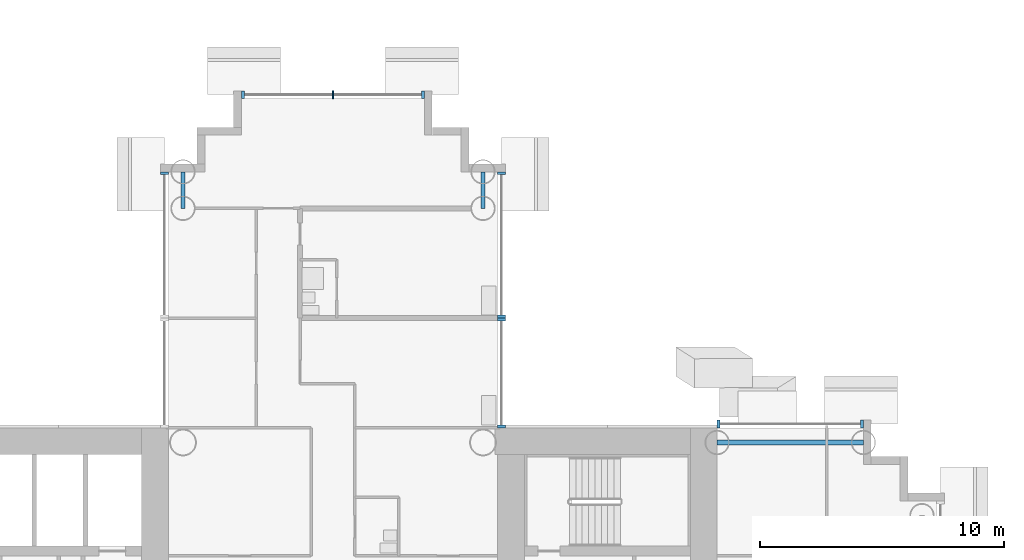
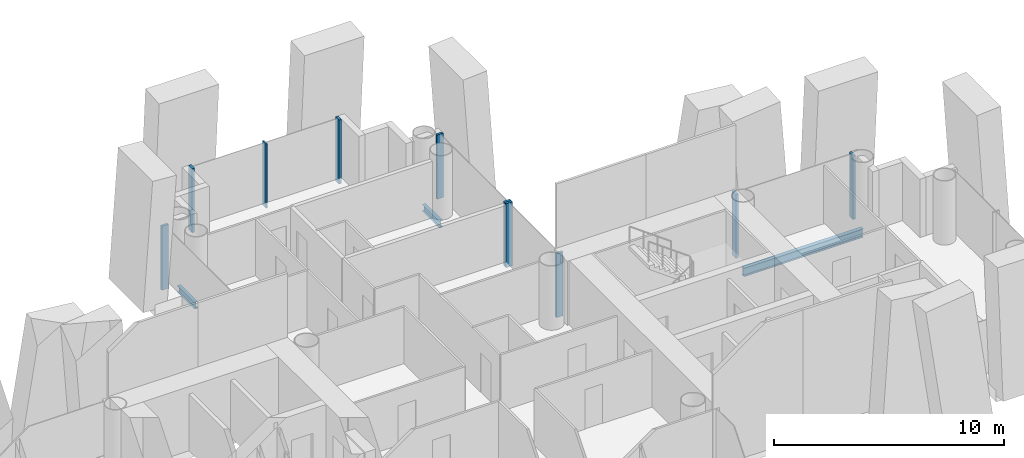
# One storey, part 5 of 24: 10 members, 3 beams, 5 elements without a shape of their own.
"""IFC4 building model written with IfcOpenShell, lengths in metres."""

from ifc_helpers import new_model, si_unit, direction, frame, origin, origin_2d, place, context, subcontext, project, spatial, rectangle, i_section, extrude, material, layer, layer_set, material_profile, profile_set, type_object, element, aggregate, save


model = new_model("IFC4")

# Units and contexts
model_context = context("Model", 3, precision=1e-05, world=origin(), true_north=direction((0.0, 1.0)))
body_context = subcontext(model_context, "Body", "Model", "MODEL_VIEW")
ifc_project = project(units=[si_unit("LENGTHUNIT", "METRE"), si_unit("AREAUNIT", "SQUARE_METRE"), si_unit("VOLUMEUNIT", "CUBIC_METRE"), si_unit("PLANEANGLEUNIT", "RADIAN"), si_unit("MASSUNIT", "GRAM", prefix="KILO")], contexts=[model_context])

# Site, building, storey
site_placement = place(None, origin())
site = spatial("IfcSite", under=ifc_project, at=site_placement, CompositionType="ELEMENT")
building_placement = place(site_placement, origin())
building = spatial("IfcBuilding", under=site, at=building_placement, Name="Ipe Terrace Towers", CompositionType="ELEMENT")
storey_placement = place(building_placement, frame((0.0, 0.0, 38.10009765625)))
storey = spatial("IfcBuildingStorey", under=building, at=storey_placement, Name="L09", CompositionType="ELEMENT", Elevation=38.10009765625)

# Beams
ifc_material_1 = material(Name="Steel S355", Category="steel")
ifc_material_profile_1 = material_profile(ifc_material_1, i_section(OverallWidth=0.175048828125, OverallDepth=0.35009765625, WebThickness=0.007080078125, FlangeThickness=0.010986328125, at=origin_2d()), Name="H-350x175x7x11")
ifc_profile_set_1 = profile_set([ifc_material_profile_1], Name="Steel S355")
beam_type_1 = type_object("IfcBeamType", Name="H04 EDGE BEAM H-350x175x7x11", PredefinedType="BEAM", material=ifc_profile_set_1)
for number, where, z_axis, x_axis, name in (
    (1, (-29.85009765625, 15.75, -0.5751953125), (0.0, 1.0, 0.0), (-1.0, 0.0, 0.0), "Edge beam T1-EB-B03-B05"),
    (2, (-42.14990234375, 15.75, -0.5751953125), (0.0, 1.0, 0.0), (-1.0, 0.0, 0.0), "Edge beam T1-EB-B04-B06"),
):
    element("IfcBeam", number, at=place(storey_placement, frame(where, z_axis=z_axis, x_axis=x_axis)), inside=storey, type_object=beam_type_1, Name=name, PredefinedType="BEAM", context=body_context, shape_type="SweptSolid", body=[
        extrude(i_section(OverallWidth=0.175048828125, OverallDepth=0.35009765625, WebThickness=0.007080078125, FlangeThickness=0.010986328125, at=origin_2d()), origin(), (0.0, 0.0, 1.0), 1.5),
    ])
ifc_material_2 = material(Name="Steel S355", Category="steel")
ifc_material_profile_2 = material_profile(ifc_material_2, i_section(OverallWidth=0.199951171875, OverallDepth=0.449951171875, WebThickness=0.009033203125, FlangeThickness=0.013916015625, at=origin_2d()), Name="H-450x200x9x14")
ifc_profile_set_2 = profile_set([ifc_material_profile_2], Name="Steel S355")
beam_type_2 = type_object("IfcBeamType", Name="H08 EDGE BEAM H-450x200x9x14", PredefinedType="BEAM", material=ifc_profile_set_2)
beam_placement = place(storey_placement, frame((-20.25, 6.14990234375, -0.625), z_axis=(1.0, 0.0, 0.0), x_axis=(0.0, 1.0, 0.0)))
element("IfcBeam", 3, at=beam_placement, inside=storey, type_object=beam_type_2, Name="Edge beam T1-EB-A02-A04", PredefinedType="BEAM", context=body_context, shape_type="SweptSolid", body=[
    extrude(i_section(OverallWidth=0.199951171875, OverallDepth=0.449951171875, WebThickness=0.009033203125, FlangeThickness=0.013916015625, at=origin_2d()), origin(), (0.0, 0.0, 1.0), 6.0),
])

# Curtain wall, members
ifc_material_3 = material(Name="Aluminium alloy 6063-T6", Category="aluminium")
ifc_layer = layer(ifc_material_3, 0.320068359375)
ifc_layer_set = layer_set([ifc_layer], Name="TOWER UNITISED CURTAIN WALL")
curtain_wall_type = type_object("IfcCurtainWallType", Name="TOWER UNITISED CURTAIN WALL", PredefinedType="NOTDEFINED", material=ifc_layer_set)
curtain_wall_1_placement = place(storey_placement, origin())
curtain_wall_1 = element("IfcCurtainWall", 4, at=curtain_wall_1_placement, inside=storey, type_object=curtain_wall_type, Name="T1-CW-L09-30a curtain wall", PredefinedType="NOTDEFINED")
ifc_material_4 = material(Name="Aluminium alloy 6063-T6", Category="aluminium")
ifc_material_profile_3 = material_profile(ifc_material_4, rectangle(XDim=0.320068359375, YDim=0.1201171875, at=origin_2d()), Name="TOWER UNITISED CORNER MULLION 320 x 120")
ifc_profile_set_3 = profile_set([ifc_material_profile_3], Name="Aluminium alloy 6063-T6")
member_type_1 = type_object("IfcMemberType", Name="TOWER UNITISED CORNER MULLION 320 x 120", PredefinedType="MULLION", material=ifc_profile_set_3)
member_1_placement = place(storey_placement, frame((-14.31005859375, 6.909912109375, -0.300048828125), z_axis=(0.0, 0.0, 1.0), x_axis=(0.0, 1.0, 0.0)))
member_1 = element("IfcMember", 5, at=member_1_placement, type_object=member_type_1, Name="T1-CW-L09-30a mullion 1", PredefinedType="MULLION", context=body_context, shape_type="SweptSolid", body=[
    extrude(rectangle(XDim=0.320068359375, YDim=0.1201171875, at=origin_2d()), origin(), (0.0, 0.0, 1.0), 3.39990234375),
])
member_2_placement = place(storey_placement, frame((-20.18896484375, 6.909912109375, -0.300048828125), z_axis=(0.0, 0.0, 1.0), x_axis=(0.0, 1.0, 0.0)))
member_2 = element("IfcMember", 6, at=member_2_placement, type_object=member_type_1, Name="T1-CW-L09-30a mullion 2", PredefinedType="MULLION", context=body_context, shape_type="SweptSolid", body=[
    extrude(rectangle(XDim=0.320068359375, YDim=0.1201171875, at=origin_2d()), origin(), (0.0, 0.0, 1.0), 3.39990234375),
])
aggregate(curtain_wall_1, [member_1, member_2])

curtain_wall_2_placement = place(storey_placement, origin())
curtain_wall_2 = element("IfcCurtainWall", 7, at=curtain_wall_2_placement, inside=storey, type_object=curtain_wall_type, Name="T1-CW-L09-32a curtain wall", PredefinedType="NOTDEFINED")
member_3_placement = place(storey_placement, frame((-29.090087890625, 6.81005859375, -0.300048828125), z_axis=(0.0, 0.0, 1.0), x_axis=(1.0, 0.0, 0.0)))
member_3 = element("IfcMember", 8, at=member_3_placement, type_object=member_type_1, Name="T1-CW-L09-32a mullion 1", PredefinedType="MULLION", context=body_context, shape_type="SweptSolid", body=[
    extrude(rectangle(XDim=0.320068359375, YDim=0.1201171875, at=origin_2d()), origin(), (0.0, 0.0, 1.0), 3.39990234375),
])
member_4_placement = place(storey_placement, frame((-29.090087890625, 11.18994140625, -0.300048828125), z_axis=(0.0, 0.0, 1.0), x_axis=(1.0, 0.0, 0.0)))
member_4 = element("IfcMember", 9, at=member_4_placement, type_object=member_type_1, Name="T1-CW-L09-32a mullion 2", PredefinedType="MULLION", context=body_context, shape_type="SweptSolid", body=[
    extrude(rectangle(XDim=0.320068359375, YDim=0.1201171875, at=origin_2d()), origin(), (0.0, 0.0, 1.0), 3.39990234375),
])
aggregate(curtain_wall_2, [member_3, member_4])

curtain_wall_3_placement = place(storey_placement, origin())
curtain_wall_3 = element("IfcCurtainWall", 10, at=curtain_wall_3_placement, inside=storey, type_object=curtain_wall_type, Name="T1-CW-L09-33a curtain wall", PredefinedType="NOTDEFINED")
member_5_placement = place(storey_placement, frame((-29.090087890625, 11.31005859375, -0.300048828125), z_axis=(0.0, 0.0, 1.0), x_axis=(1.0, 0.0, 0.0)))
member_5 = element("IfcMember", 11, at=member_5_placement, type_object=member_type_1, Name="T1-CW-L09-33a mullion 1", PredefinedType="MULLION", context=body_context, shape_type="SweptSolid", body=[
    extrude(rectangle(XDim=0.320068359375, YDim=0.1201171875, at=origin_2d()), origin(), (0.0, 0.0, 1.0), 3.39990234375),
])
member_6_placement = place(storey_placement, frame((-29.090087890625, 17.18994140625, -0.300048828125), z_axis=(0.0, 0.0, 1.0), x_axis=(1.0, 0.0, 0.0)))
member_6 = element("IfcMember", 12, at=member_6_placement, type_object=member_type_1, Name="T1-CW-L09-33a mullion 2", PredefinedType="MULLION", context=body_context, shape_type="SweptSolid", body=[
    extrude(rectangle(XDim=0.320068359375, YDim=0.1201171875, at=origin_2d()), origin(), (0.0, 0.0, 1.0), 3.39990234375),
])
aggregate(curtain_wall_3, [member_5, member_6])

curtain_wall_4_placement = place(storey_placement, origin())
curtain_wall_4 = element("IfcCurtainWall", 13, at=curtain_wall_4_placement, inside=storey, type_object=curtain_wall_type, Name="T1-CW-L09-38a curtain wall", PredefinedType="NOTDEFINED")
member_7_placement = place(storey_placement, frame((-32.31005859375, 20.409912109375, -0.300048828125), z_axis=(0.0, 0.0, 1.0), x_axis=(0.0, 1.0, 0.0)))
member_7 = element("IfcMember", 14, at=member_7_placement, type_object=member_type_1, Name="T1-CW-L09-38a mullion 1", PredefinedType="MULLION", context=body_context, shape_type="SweptSolid", body=[
    extrude(rectangle(XDim=0.320068359375, YDim=0.1201171875, at=origin_2d()), origin(), (0.0, 0.0, 1.0), 3.39990234375),
])
member_8_placement = place(storey_placement, frame((-39.68994140625, 20.409912109375, -0.300048828125), z_axis=(0.0, 0.0, 1.0), x_axis=(0.0, 1.0, 0.0)))
member_8 = element("IfcMember", 15, at=member_8_placement, type_object=member_type_1, Name="T1-CW-L09-38a mullion 3", PredefinedType="MULLION", context=body_context, shape_type="SweptSolid", body=[
    extrude(rectangle(XDim=0.320068359375, YDim=0.1201171875, at=origin_2d()), origin(), (0.0, 0.0, 1.0), 3.39990234375),
])

# Curtain wall, member
curtain_wall_5_placement = place(storey_placement, origin())
curtain_wall_5 = element("IfcCurtainWall", 16, at=curtain_wall_5_placement, inside=storey, type_object=curtain_wall_type, Name="T1-CW-L09-43a curtain wall", PredefinedType="NOTDEFINED")
member_9_placement = place(storey_placement, frame((-42.909912109375, 17.18994140625, -0.300048828125), z_axis=(0.0, 0.0, 1.0), x_axis=(-1.0, 0.0, 0.0)))
member_9 = element("IfcMember", 17, at=member_9_placement, type_object=member_type_1, Name="T1-CW-L09-43a mullion 1", PredefinedType="MULLION", context=body_context, shape_type="SweptSolid", body=[
    extrude(rectangle(XDim=0.320068359375, YDim=0.1201171875, at=origin_2d()), origin(), (0.0, 0.0, 1.0), 3.39990234375),
])
aggregate(curtain_wall_5, [member_9])

# Member
ifc_material_5 = material(Name="Aluminium alloy 6063-T6", Category="aluminium")
ifc_material_profile_4 = material_profile(ifc_material_5, rectangle(XDim=0.320068359375, YDim=0.06494140625, at=origin_2d()), Name="TOWER UNITISED MULLION 320 x 65")
ifc_profile_set_4 = profile_set([ifc_material_profile_4], Name="Aluminium alloy 6063-T6")
member_type_2 = type_object("IfcMemberType", Name="TOWER UNITISED MULLION 320 x 65", PredefinedType="MULLION", material=ifc_profile_set_4)
member_10_placement = place(storey_placement, frame((-36.0, 20.409912109375, -0.300048828125), z_axis=(0.0, 0.0, 1.0), x_axis=(0.0, 1.0, 0.0)))
member_10 = element("IfcMember", 18, at=member_10_placement, type_object=member_type_2, Name="T1-CW-L09-38a mullion 2", PredefinedType="MULLION", context=body_context, shape_type="SweptSolid", body=[
    extrude(rectangle(XDim=0.320068359375, YDim=0.06494140625, at=origin_2d()), origin(), (0.0, 0.0, 1.0), 3.39990234375),
])

aggregate(curtain_wall_4, [member_7, member_10, member_8])

save(model, "model.ifc")
